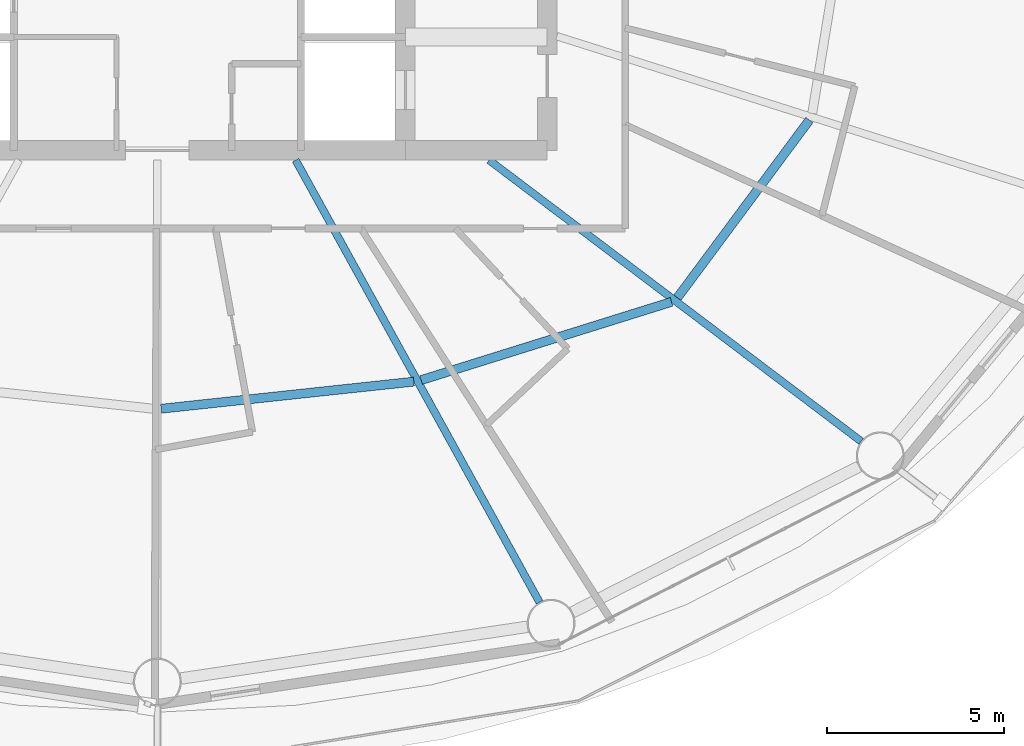
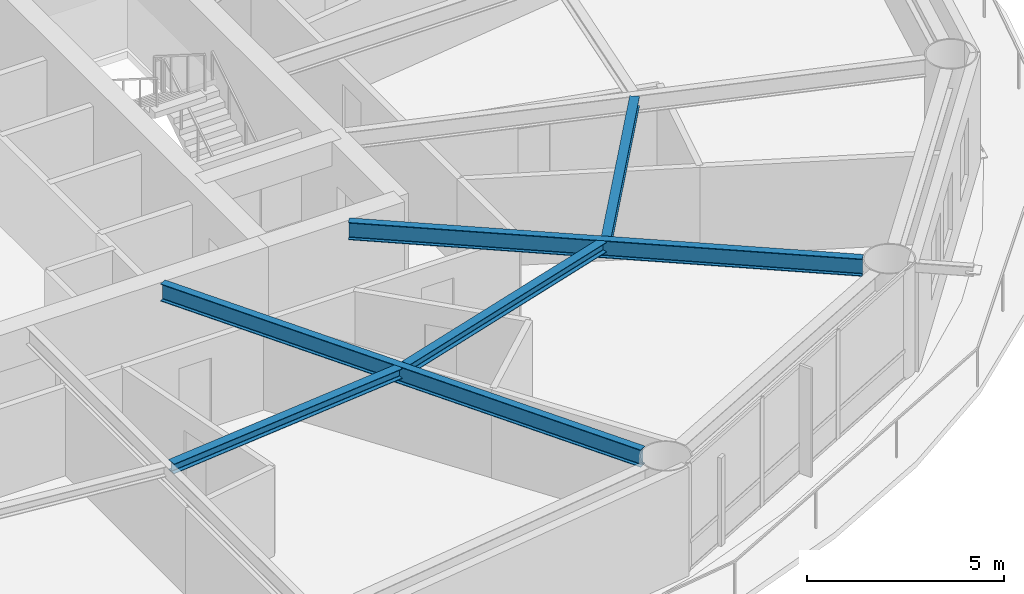
# One storey, part 5 of 24: 5 beams.
"""IFC4 building model written with IfcOpenShell, lengths in metres."""

from ifc_helpers import new_model, si_unit, direction, frame, origin, origin_2d, place, context, subcontext, project, spatial, i_section, extrude, material, material_profile, profile_set, type_object, element, save


model = new_model("IFC4")

# Units and contexts
model_context = context("Model", 3, precision=1e-05, world=origin(), true_north=direction((0.0, 1.0)))
body_context = subcontext(model_context, "Body", "Model", "MODEL_VIEW")
ifc_project = project(units=[si_unit("LENGTHUNIT", "METRE"), si_unit("AREAUNIT", "SQUARE_METRE"), si_unit("VOLUMEUNIT", "CUBIC_METRE"), si_unit("PLANEANGLEUNIT", "RADIAN"), si_unit("MASSUNIT", "GRAM", prefix="KILO")], contexts=[model_context])

# Site, building, storey
site_placement = place(None, origin())
site = spatial("IfcSite", under=ifc_project, at=site_placement, CompositionType="ELEMENT")
building_placement = place(site_placement, origin())
building = spatial("IfcBuilding", under=site, at=building_placement, Name="Sarneth Arch Tower", CompositionType="ELEMENT")
storey_placement = place(building_placement, frame((0.0, 0.0, 120.0)))
storey = spatial("IfcBuildingStorey", under=building, at=storey_placement, Name="L30", CompositionType="ELEMENT", Elevation=120.0)

# Beams
ifc_material_1 = material(Name="Steel S355", Category="steel")
ifc_material_profile_1 = material_profile(ifc_material_1, i_section(OverallWidth=0.25390625, OverallDepth=0.305908203125, WebThickness=0.0087890625, FlangeThickness=0.0146484375, FilletRadius=0.014892578125, at=origin_2d()), Name="W310x79")
ifc_profile_set_1 = profile_set([ifc_material_profile_1], Name="Steel S355")
beam_type_1 = type_object("IfcBeamType", Name="BM-JOIST-310A", PredefinedType="JOIST", material=ifc_profile_set_1)
beam_1_placement = place(storey_placement, frame((48.10498046875, 27.9111328125, 3.22705078125), z_axis=(0.99429330851, 0.106680910441, 0.0), x_axis=(-0.106680910441, 0.99429330851, 0.0)))
element("IfcBeam", 1, at=beam_1_placement, inside=storey, type_object=beam_type_1, Name="L30 Secondary floor joist 13", PredefinedType="JOIST", context=body_context, shape_type="SweptSolid", body=[
    extrude(i_section(OverallWidth=0.25390625, OverallDepth=0.305908203125, WebThickness=0.0087890625, FlangeThickness=0.0146484375, FilletRadius=0.014892578125, at=origin_2d()), origin(), (0.0, 0.0, 1.0), 7.174560546875),
])
beam_2_placement = place(storey_placement, frame((55.4443359375, 28.71923828125, 3.22705078125), z_axis=(0.9544870201, 0.298252457594, 0.0), x_axis=(-0.298252457594, 0.9544870201, 0.0)))
element("IfcBeam", 2, at=beam_2_placement, inside=storey, type_object=beam_type_1, Name="L30 Secondary floor joist 14", PredefinedType="JOIST", context=body_context, shape_type="SweptSolid", body=[
    extrude(i_section(OverallWidth=0.25390625, OverallDepth=0.305908203125, WebThickness=0.0087890625, FlangeThickness=0.0146484375, FilletRadius=0.014892578125, at=origin_2d()), origin(), (0.0, 0.0, 1.0), 7.40234375),
])
beam_3_placement = place(storey_placement, frame((62.67333984375, 31.043212890625, 3.22705078125), z_axis=(0.596354224217, 0.80272139579, 0.0), x_axis=(-0.80272139579, 0.596354224217, 0.0)))
element("IfcBeam", 3, at=beam_3_placement, inside=storey, type_object=beam_type_1, Name="L30 Secondary floor joist 15", PredefinedType="JOIST", context=body_context, shape_type="SweptSolid", body=[
    extrude(i_section(OverallWidth=0.25390625, OverallDepth=0.305908203125, WebThickness=0.0087890625, FlangeThickness=0.0146484375, FilletRadius=0.014892578125, at=origin_2d()), origin(), (0.0, 0.0, 1.0), 6.246337890625),
])
ifc_material_2 = material(Name="Steel S355", Category="steel")
ifc_material_profile_2 = material_profile(ifc_material_2, i_section(OverallWidth=0.2109375, OverallDepth=0.5390625, WebThickness=0.01171875, FlangeThickness=0.018798828125, FilletRadius=0.01806640625, at=origin_2d()), Name="W530x109")
ifc_profile_set_2 = profile_set([ifc_material_profile_2], Name="Steel S355")
beam_type_2 = type_object("IfcBeamType", Name="BM-RAD-530B", PredefinedType="BEAM", material=ifc_profile_set_2)
beam_4_placement = place(storey_placement, frame((51.90283203125, 34.925048828125, 3.110595703125), z_axis=(0.48301301286, -0.875613173387, 0.0), x_axis=(0.875613173387, 0.48301301286, 0.0)))
element("IfcBeam", 4, at=beam_4_placement, inside=storey, type_object=beam_type_2, Name="L30 Radial floor girder 14", PredefinedType="BEAM", context=body_context, shape_type="SweptSolid", body=[
    extrude(i_section(OverallWidth=0.2109375, OverallDepth=0.5390625, WebThickness=0.01171875, FlangeThickness=0.018798828125, FilletRadius=0.01806640625, at=origin_2d()), origin(), (0.0, 0.0, 1.0), 14.246826171875),
])
beam_5_placement = place(storey_placement, frame((57.36181640625, 34.925048828125, 3.110595703125), z_axis=(0.797801476102, -0.602920230818, 0.0), x_axis=(0.602920230818, 0.797801476102, 0.0)))
element("IfcBeam", 5, at=beam_5_placement, inside=storey, type_object=beam_type_2, Name="L30 Radial floor girder 15", PredefinedType="BEAM", context=body_context, shape_type="SweptSolid", body=[
    extrude(i_section(OverallWidth=0.2109375, OverallDepth=0.5390625, WebThickness=0.01171875, FlangeThickness=0.018798828125, FilletRadius=0.01806640625, at=origin_2d()), origin(), (0.0, 0.0, 1.0), 13.15771484375),
])

save(model, "model.ifc")
